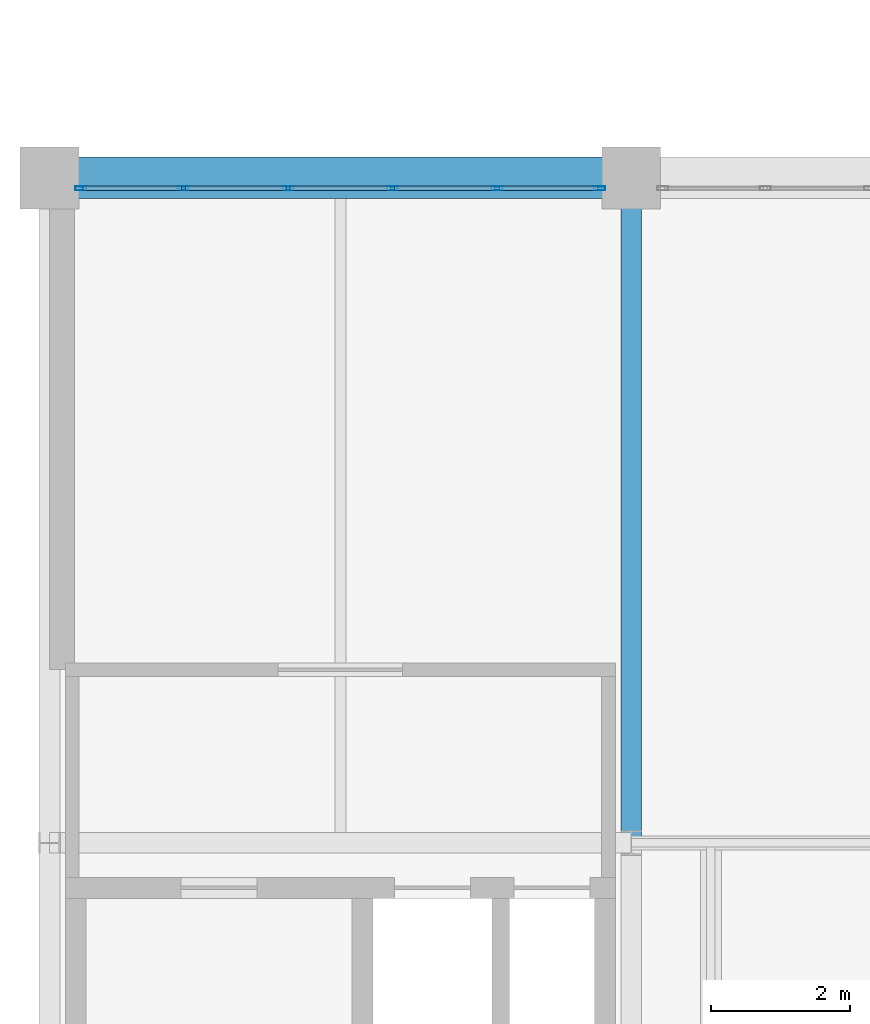
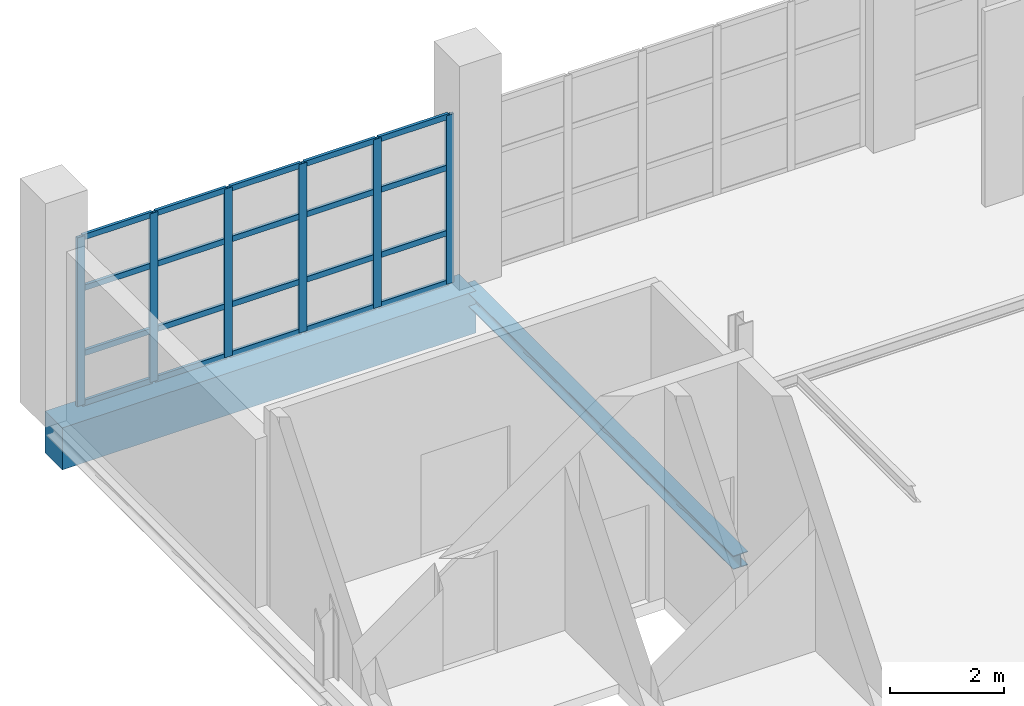
# One storey, part 5 of 29: 26 members, 2 beams, 1 element without a shape of its own.
"""IFC4 building model written with IfcOpenShell, lengths in metres."""

from ifc_helpers import new_model, si_unit, direction, frame, origin, origin_2d, place, context, subcontext, project, spatial, rectangle, hollow_rectangle, i_section, extrude, material, material_profile, profile_set, type_object, element, aggregate, save


model = new_model("IFC4")

# Units and contexts
model_context = context("Model", 3, precision=1e-05, world=origin(), true_north=direction((0.0, 1.0)))
body_context = subcontext(model_context, "Body", "Model", "MODEL_VIEW")
ifc_project = project(units=[si_unit("LENGTHUNIT", "METRE"), si_unit("AREAUNIT", "SQUARE_METRE"), si_unit("VOLUMEUNIT", "CUBIC_METRE"), si_unit("PLANEANGLEUNIT", "RADIAN"), si_unit("MASSUNIT", "GRAM", prefix="KILO")], contexts=[model_context])

# Site, building, storey
site_placement = place(None, origin())
site = spatial("IfcSite", under=ifc_project, at=site_placement, CompositionType="ELEMENT")
building_placement = place(site_placement, origin())
building = spatial("IfcBuilding", under=site, at=building_placement, Name="Veltarok Museum of Natural Sciences", CompositionType="ELEMENT")
storey_placement = place(building_placement, frame((0.0, 0.0, 26.39990234375)))
storey = spatial("IfcBuildingStorey", under=building, at=storey_placement, Name="L05", CompositionType="ELEMENT", Elevation=26.39990234375)

# Curtain wall, members
ifc_material_1 = material(Name="Low-iron triple insulated glass", Category="glass")
curtain_wall_type = type_object("IfcCurtainWallType", Name="Curtain Wall System CW-V1N-L05-755x362 (V1 North Overlook L05 755x362cm)", PredefinedType="NOTDEFINED", material=ifc_material_1)
curtain_wall_placement = place(storey_placement, origin())
curtain_wall = element("IfcCurtainWall", 1, at=curtain_wall_placement, inside=storey, type_object=curtain_wall_type, Name="Curtain Wall CW-V1N-L05-755x362 CW-0011", PredefinedType="NOTDEFINED")
ifc_material_2 = material(Name="Thermally broken anodised aluminium", Category="aluminium")
ifc_material_profile_1 = material_profile(ifc_material_2, hollow_rectangle(XDim=0.06005859375, YDim=0.1201171875, WallThickness=0.0048828125, at=origin_2d()), Name="CW TRANSOM 60x120x5")
ifc_profile_set_1 = profile_set([ifc_material_profile_1], Name="Thermally broken anodised aluminium")
member_type_1 = type_object("IfcMemberType", Name="Curtain Wall Horizontal Transom 60x120x5", PredefinedType="USERDEFINED", material=ifc_profile_set_1)
member_1_placement = place(storey_placement, frame((39.514892578125, 19.050048828125, 0.030029296875), z_axis=(-1.0, 0.0, 0.0), x_axis=(0.0, -1.0, 0.0)))
member_1 = element("IfcMember", 2, at=member_1_placement, type_object=member_type_1, Name="CW-V1N-L05-755x362 transom 1.1", ObjectType="TRANSOM", PredefinedType="USERDEFINED", context=body_context, shape_type="SweptSolid", body=[
    extrude(hollow_rectangle(XDim=0.06005859375, YDim=0.1201171875, WallThickness=0.0048828125, at=origin_2d()), origin(), (0.0, 0.0, 1.0), 1.419921875),
])
member_2_placement = place(storey_placement, frame((39.514892578125, 19.050048828125, 1.10009765625), z_axis=(-1.0, 0.0, 0.0), x_axis=(0.0, -1.0, 0.0)))
member_2 = element("IfcMember", 3, at=member_2_placement, type_object=member_type_1, Name="CW-V1N-L05-755x362 transom 1.2", ObjectType="TRANSOM", PredefinedType="USERDEFINED", context=body_context, shape_type="SweptSolid", body=[
    extrude(hollow_rectangle(XDim=0.06005859375, YDim=0.1201171875, WallThickness=0.0048828125, at=origin_2d()), origin(), (0.0, 0.0, 1.0), 1.419921875),
])
member_3_placement = place(storey_placement, frame((39.514892578125, 19.050048828125, 2.5), z_axis=(-1.0, 0.0, 0.0), x_axis=(0.0, -1.0, 0.0)))
member_3 = element("IfcMember", 4, at=member_3_placement, type_object=member_type_1, Name="CW-V1N-L05-755x362 transom 1.3", ObjectType="TRANSOM", PredefinedType="USERDEFINED", context=body_context, shape_type="SweptSolid", body=[
    extrude(hollow_rectangle(XDim=0.06005859375, YDim=0.1201171875, WallThickness=0.0048828125, at=origin_2d()), origin(), (0.0, 0.0, 1.0), 1.419921875),
])
member_4_placement = place(storey_placement, frame((39.514892578125, 19.050048828125, 3.590087890625), z_axis=(-1.0, 0.0, 0.0), x_axis=(0.0, -1.0, 0.0)))
member_4 = element("IfcMember", 5, at=member_4_placement, type_object=member_type_1, Name="CW-V1N-L05-755x362 transom 1.4", ObjectType="TRANSOM", PredefinedType="USERDEFINED", context=body_context, shape_type="SweptSolid", body=[
    extrude(hollow_rectangle(XDim=0.06005859375, YDim=0.1201171875, WallThickness=0.0048828125, at=origin_2d()), origin(), (0.0, 0.0, 1.0), 1.419921875),
])
member_5_placement = place(storey_placement, frame((38.034912109375, 19.050048828125, 0.030029296875), z_axis=(-1.0, 0.0, 0.0), x_axis=(0.0, -1.0, 0.0)))
member_5 = element("IfcMember", 6, at=member_5_placement, type_object=member_type_1, Name="CW-V1N-L05-755x362 transom 2.1", ObjectType="TRANSOM", PredefinedType="USERDEFINED", context=body_context, shape_type="SweptSolid", body=[
    extrude(hollow_rectangle(XDim=0.06005859375, YDim=0.1201171875, WallThickness=0.0048828125, at=origin_2d()), origin(), (0.0, 0.0, 1.0), 1.449951171875),
])
member_6_placement = place(storey_placement, frame((38.034912109375, 19.050048828125, 1.10009765625), z_axis=(-1.0, 0.0, 0.0), x_axis=(0.0, -1.0, 0.0)))
member_6 = element("IfcMember", 7, at=member_6_placement, type_object=member_type_1, Name="CW-V1N-L05-755x362 transom 2.2", ObjectType="TRANSOM", PredefinedType="USERDEFINED", context=body_context, shape_type="SweptSolid", body=[
    extrude(hollow_rectangle(XDim=0.06005859375, YDim=0.1201171875, WallThickness=0.0048828125, at=origin_2d()), origin(), (0.0, 0.0, 1.0), 1.449951171875),
])
member_7_placement = place(storey_placement, frame((38.034912109375, 19.050048828125, 2.5), z_axis=(-1.0, 0.0, 0.0), x_axis=(0.0, -1.0, 0.0)))
member_7 = element("IfcMember", 8, at=member_7_placement, type_object=member_type_1, Name="CW-V1N-L05-755x362 transom 2.3", ObjectType="TRANSOM", PredefinedType="USERDEFINED", context=body_context, shape_type="SweptSolid", body=[
    extrude(hollow_rectangle(XDim=0.06005859375, YDim=0.1201171875, WallThickness=0.0048828125, at=origin_2d()), origin(), (0.0, 0.0, 1.0), 1.449951171875),
])
member_8_placement = place(storey_placement, frame((38.034912109375, 19.050048828125, 3.590087890625), z_axis=(-1.0, 0.0, 0.0), x_axis=(0.0, -1.0, 0.0)))
member_8 = element("IfcMember", 9, at=member_8_placement, type_object=member_type_1, Name="CW-V1N-L05-755x362 transom 2.4", ObjectType="TRANSOM", PredefinedType="USERDEFINED", context=body_context, shape_type="SweptSolid", body=[
    extrude(hollow_rectangle(XDim=0.06005859375, YDim=0.1201171875, WallThickness=0.0048828125, at=origin_2d()), origin(), (0.0, 0.0, 1.0), 1.449951171875),
])
member_9_placement = place(storey_placement, frame((36.52490234375, 19.050048828125, 0.030029296875), z_axis=(-1.0, 0.0, 0.0), x_axis=(0.0, -1.0, 0.0)))
member_9 = element("IfcMember", 10, at=member_9_placement, type_object=member_type_1, Name="CW-V1N-L05-755x362 transom 3.1", ObjectType="TRANSOM", PredefinedType="USERDEFINED", context=body_context, shape_type="SweptSolid", body=[
    extrude(hollow_rectangle(XDim=0.06005859375, YDim=0.1201171875, WallThickness=0.0048828125, at=origin_2d()), origin(), (0.0, 0.0, 1.0), 1.449951171875),
])
member_10_placement = place(storey_placement, frame((36.52490234375, 19.050048828125, 1.10009765625), z_axis=(-1.0, 0.0, 0.0), x_axis=(0.0, -1.0, 0.0)))
member_10 = element("IfcMember", 11, at=member_10_placement, type_object=member_type_1, Name="CW-V1N-L05-755x362 transom 3.2", ObjectType="TRANSOM", PredefinedType="USERDEFINED", context=body_context, shape_type="SweptSolid", body=[
    extrude(hollow_rectangle(XDim=0.06005859375, YDim=0.1201171875, WallThickness=0.0048828125, at=origin_2d()), origin(), (0.0, 0.0, 1.0), 1.449951171875),
])
member_11_placement = place(storey_placement, frame((36.52490234375, 19.050048828125, 2.5), z_axis=(-1.0, 0.0, 0.0), x_axis=(0.0, -1.0, 0.0)))
member_11 = element("IfcMember", 12, at=member_11_placement, type_object=member_type_1, Name="CW-V1N-L05-755x362 transom 3.3", ObjectType="TRANSOM", PredefinedType="USERDEFINED", context=body_context, shape_type="SweptSolid", body=[
    extrude(hollow_rectangle(XDim=0.06005859375, YDim=0.1201171875, WallThickness=0.0048828125, at=origin_2d()), origin(), (0.0, 0.0, 1.0), 1.449951171875),
])
member_12_placement = place(storey_placement, frame((36.52490234375, 19.050048828125, 3.590087890625), z_axis=(-1.0, 0.0, 0.0), x_axis=(0.0, -1.0, 0.0)))
member_12 = element("IfcMember", 13, at=member_12_placement, type_object=member_type_1, Name="CW-V1N-L05-755x362 transom 3.4", ObjectType="TRANSOM", PredefinedType="USERDEFINED", context=body_context, shape_type="SweptSolid", body=[
    extrude(hollow_rectangle(XDim=0.06005859375, YDim=0.1201171875, WallThickness=0.0048828125, at=origin_2d()), origin(), (0.0, 0.0, 1.0), 1.449951171875),
])
member_13_placement = place(storey_placement, frame((35.014892578125, 19.050048828125, 0.030029296875), z_axis=(-1.0, 0.0, 0.0), x_axis=(0.0, -1.0, 0.0)))
member_13 = element("IfcMember", 14, at=member_13_placement, type_object=member_type_1, Name="CW-V1N-L05-755x362 transom 4.1", ObjectType="TRANSOM", PredefinedType="USERDEFINED", context=body_context, shape_type="SweptSolid", body=[
    extrude(hollow_rectangle(XDim=0.06005859375, YDim=0.1201171875, WallThickness=0.0048828125, at=origin_2d()), origin(), (0.0, 0.0, 1.0), 1.449951171875),
])
member_14_placement = place(storey_placement, frame((35.014892578125, 19.050048828125, 1.10009765625), z_axis=(-1.0, 0.0, 0.0), x_axis=(0.0, -1.0, 0.0)))
member_14 = element("IfcMember", 15, at=member_14_placement, type_object=member_type_1, Name="CW-V1N-L05-755x362 transom 4.2", ObjectType="TRANSOM", PredefinedType="USERDEFINED", context=body_context, shape_type="SweptSolid", body=[
    extrude(hollow_rectangle(XDim=0.06005859375, YDim=0.1201171875, WallThickness=0.0048828125, at=origin_2d()), origin(), (0.0, 0.0, 1.0), 1.449951171875),
])
member_15_placement = place(storey_placement, frame((35.014892578125, 19.050048828125, 2.5), z_axis=(-1.0, 0.0, 0.0), x_axis=(0.0, -1.0, 0.0)))
member_15 = element("IfcMember", 16, at=member_15_placement, type_object=member_type_1, Name="CW-V1N-L05-755x362 transom 4.3", ObjectType="TRANSOM", PredefinedType="USERDEFINED", context=body_context, shape_type="SweptSolid", body=[
    extrude(hollow_rectangle(XDim=0.06005859375, YDim=0.1201171875, WallThickness=0.0048828125, at=origin_2d()), origin(), (0.0, 0.0, 1.0), 1.449951171875),
])
member_16_placement = place(storey_placement, frame((35.014892578125, 19.050048828125, 3.590087890625), z_axis=(-1.0, 0.0, 0.0), x_axis=(0.0, -1.0, 0.0)))
member_16 = element("IfcMember", 17, at=member_16_placement, type_object=member_type_1, Name="CW-V1N-L05-755x362 transom 4.4", ObjectType="TRANSOM", PredefinedType="USERDEFINED", context=body_context, shape_type="SweptSolid", body=[
    extrude(hollow_rectangle(XDim=0.06005859375, YDim=0.1201171875, WallThickness=0.0048828125, at=origin_2d()), origin(), (0.0, 0.0, 1.0), 1.449951171875),
])
member_17_placement = place(storey_placement, frame((33.5048828125, 19.050048828125, 0.030029296875), z_axis=(-1.0, 0.0, 0.0), x_axis=(0.0, -1.0, 0.0)))
member_17 = element("IfcMember", 18, at=member_17_placement, type_object=member_type_1, Name="CW-V1N-L05-755x362 transom 5.1", ObjectType="TRANSOM", PredefinedType="USERDEFINED", context=body_context, shape_type="SweptSolid", body=[
    extrude(hollow_rectangle(XDim=0.06005859375, YDim=0.1201171875, WallThickness=0.0048828125, at=origin_2d()), origin(), (0.0, 0.0, 1.0), 1.419921875),
])
member_18_placement = place(storey_placement, frame((33.5048828125, 19.050048828125, 1.10009765625), z_axis=(-1.0, 0.0, 0.0), x_axis=(0.0, -1.0, 0.0)))
member_18 = element("IfcMember", 19, at=member_18_placement, type_object=member_type_1, Name="CW-V1N-L05-755x362 transom 5.2", ObjectType="TRANSOM", PredefinedType="USERDEFINED", context=body_context, shape_type="SweptSolid", body=[
    extrude(hollow_rectangle(XDim=0.06005859375, YDim=0.1201171875, WallThickness=0.0048828125, at=origin_2d()), origin(), (0.0, 0.0, 1.0), 1.419921875),
])
member_19_placement = place(storey_placement, frame((33.5048828125, 19.050048828125, 2.5), z_axis=(-1.0, 0.0, 0.0), x_axis=(0.0, -1.0, 0.0)))
member_19 = element("IfcMember", 20, at=member_19_placement, type_object=member_type_1, Name="CW-V1N-L05-755x362 transom 5.3", ObjectType="TRANSOM", PredefinedType="USERDEFINED", context=body_context, shape_type="SweptSolid", body=[
    extrude(hollow_rectangle(XDim=0.06005859375, YDim=0.1201171875, WallThickness=0.0048828125, at=origin_2d()), origin(), (0.0, 0.0, 1.0), 1.419921875),
])
member_20_placement = place(storey_placement, frame((33.5048828125, 19.050048828125, 3.590087890625), z_axis=(-1.0, 0.0, 0.0), x_axis=(0.0, -1.0, 0.0)))
member_20 = element("IfcMember", 21, at=member_20_placement, type_object=member_type_1, Name="CW-V1N-L05-755x362 transom 5.4", ObjectType="TRANSOM", PredefinedType="USERDEFINED", context=body_context, shape_type="SweptSolid", body=[
    extrude(hollow_rectangle(XDim=0.06005859375, YDim=0.1201171875, WallThickness=0.0048828125, at=origin_2d()), origin(), (0.0, 0.0, 1.0), 1.419921875),
])
ifc_material_profile_2 = material_profile(ifc_material_2, hollow_rectangle(XDim=0.06005859375, YDim=0.159912109375, WallThickness=0.0048828125, at=origin_2d()), Name="CW MULLION 60x160x5")
ifc_profile_set_2 = profile_set([ifc_material_profile_2], Name="Thermally broken anodised aluminium")
member_type_2 = type_object("IfcMemberType", Name="Curtain Wall Vertical Mullion 60x160x5", PredefinedType="MULLION", material=ifc_profile_set_2)
member_21_placement = place(storey_placement, frame((39.544921875, 19.050048828125, 0.0), z_axis=(0.0, 0.0, 1.0), x_axis=(0.0, -1.0, 0.0)))
member_21 = element("IfcMember", 22, at=member_21_placement, type_object=member_type_2, Name="CW-V1N-L05-755x362 mullion 1", PredefinedType="MULLION", context=body_context, shape_type="SweptSolid", body=[
    extrude(hollow_rectangle(XDim=0.06005859375, YDim=0.159912109375, WallThickness=0.0048828125, at=origin_2d()), origin(), (0.0, 0.0, 1.0), 3.6201171875),
])
member_22_placement = place(storey_placement, frame((38.06494140625, 19.050048828125, 0.0), z_axis=(0.0, 0.0, 1.0), x_axis=(0.0, -1.0, 0.0)))
member_22 = element("IfcMember", 23, at=member_22_placement, type_object=member_type_2, Name="CW-V1N-L05-755x362 mullion 2", PredefinedType="MULLION", context=body_context, shape_type="SweptSolid", body=[
    extrude(hollow_rectangle(XDim=0.06005859375, YDim=0.159912109375, WallThickness=0.0048828125, at=origin_2d()), origin(), (0.0, 0.0, 1.0), 3.6201171875),
])
member_23_placement = place(storey_placement, frame((36.554931640625, 19.050048828125, 0.0), z_axis=(0.0, 0.0, 1.0), x_axis=(0.0, -1.0, 0.0)))
member_23 = element("IfcMember", 24, at=member_23_placement, type_object=member_type_2, Name="CW-V1N-L05-755x362 mullion 3", PredefinedType="MULLION", context=body_context, shape_type="SweptSolid", body=[
    extrude(hollow_rectangle(XDim=0.06005859375, YDim=0.159912109375, WallThickness=0.0048828125, at=origin_2d()), origin(), (0.0, 0.0, 1.0), 3.6201171875),
])
member_24_placement = place(storey_placement, frame((35.044921875, 19.050048828125, 0.0), z_axis=(0.0, 0.0, 1.0), x_axis=(0.0, -1.0, 0.0)))
member_24 = element("IfcMember", 25, at=member_24_placement, type_object=member_type_2, Name="CW-V1N-L05-755x362 mullion 4", PredefinedType="MULLION", context=body_context, shape_type="SweptSolid", body=[
    extrude(hollow_rectangle(XDim=0.06005859375, YDim=0.159912109375, WallThickness=0.0048828125, at=origin_2d()), origin(), (0.0, 0.0, 1.0), 3.6201171875),
])
member_25_placement = place(storey_placement, frame((33.534912109375, 19.050048828125, 0.0), z_axis=(0.0, 0.0, 1.0), x_axis=(0.0, -1.0, 0.0)))
member_25 = element("IfcMember", 26, at=member_25_placement, type_object=member_type_2, Name="CW-V1N-L05-755x362 mullion 5", PredefinedType="MULLION", context=body_context, shape_type="SweptSolid", body=[
    extrude(hollow_rectangle(XDim=0.06005859375, YDim=0.159912109375, WallThickness=0.0048828125, at=origin_2d()), origin(), (0.0, 0.0, 1.0), 3.6201171875),
])
member_26_placement = place(storey_placement, frame((32.054931640625, 19.050048828125, 0.0), z_axis=(0.0, 0.0, 1.0), x_axis=(0.0, -1.0, 0.0)))
member_26 = element("IfcMember", 27, at=member_26_placement, type_object=member_type_2, Name="CW-V1N-L05-755x362 mullion 6", PredefinedType="MULLION", context=body_context, shape_type="SweptSolid", body=[
    extrude(hollow_rectangle(XDim=0.06005859375, YDim=0.159912109375, WallThickness=0.0048828125, at=origin_2d()), origin(), (0.0, 0.0, 1.0), 3.6201171875),
])
aggregate(curtain_wall, [member_21, member_22, member_23, member_24, member_25, member_26, member_1, member_2, member_3, member_4, member_5, member_6, member_7, member_8, member_9, member_10, member_11, member_12, member_13, member_14, member_15, member_16, member_17, member_18, member_19, member_20])

# Beams
ifc_material_3 = material(Name="Concrete C40/50", Category="concrete")
ifc_material_profile_3 = material_profile(ifc_material_3, rectangle(XDim=0.60009765625, YDim=0.89990234375, at=origin_2d()), Name="RC 600x900")
ifc_profile_set_3 = profile_set([ifc_material_profile_3], Name="Concrete C40/50")
beam_type_1 = type_object("IfcBeamType", Name="Exposed Cabinet Perimeter Spandrel RC 600x900", PredefinedType="SPANDREL", material=ifc_profile_set_3)
beam_1_placement = place(storey_placement, frame((31.60009765625, 19.199951171875, -0.699951171875), z_axis=(1.0, 0.0, 0.0), x_axis=(0.0, 1.0, 0.0)))
element("IfcBeam", 28, at=beam_1_placement, inside=storey, type_object=beam_type_1, Name="Beam BM-SP01 L05 4-5/C", PredefinedType="SPANDREL", context=body_context, shape_type="SweptSolid", body=[
    extrude(rectangle(XDim=0.60009765625, YDim=0.89990234375, at=origin_2d()), origin(), (0.0, 0.0, 1.0), 8.39990234375),
])
ifc_material_4 = material(Name="Steel S355J2", Category="steel")
ifc_material_profile_4 = material_profile(ifc_material_4, i_section(OverallWidth=0.300048828125, OverallDepth=0.2900390625, WebThickness=0.008544921875, FlangeThickness=0.013916015625, FilletRadius=0.027099609375, at=origin_2d()), Name="HEA 300")
ifc_profile_set_4 = profile_set([ifc_material_profile_4], Name="Steel S355J2")
beam_type_2 = type_object("IfcBeamType", Name="Glazed Hall Edge Spandrel HEA 300", PredefinedType="SPANDREL", material=ifc_profile_set_4)
beam_2_placement = place(storey_placement, frame((40.0, 9.60009765625, -0.39501953125), z_axis=(0.0, 1.0, 0.0), x_axis=(-1.0, 0.0, 0.0)))
element("IfcBeam", 29, at=beam_2_placement, inside=storey, type_object=beam_type_2, Name="Beam BM-SP03 L05 5/B-C", PredefinedType="SPANDREL", context=body_context, shape_type="SweptSolid", body=[
    extrude(i_section(OverallWidth=0.300048828125, OverallDepth=0.2900390625, WebThickness=0.008544921875, FlangeThickness=0.013916015625, FilletRadius=0.027099609375, at=origin_2d()), origin(), (0.0, 0.0, 1.0), 9.599853515625),
])

save(model, "model.ifc")
